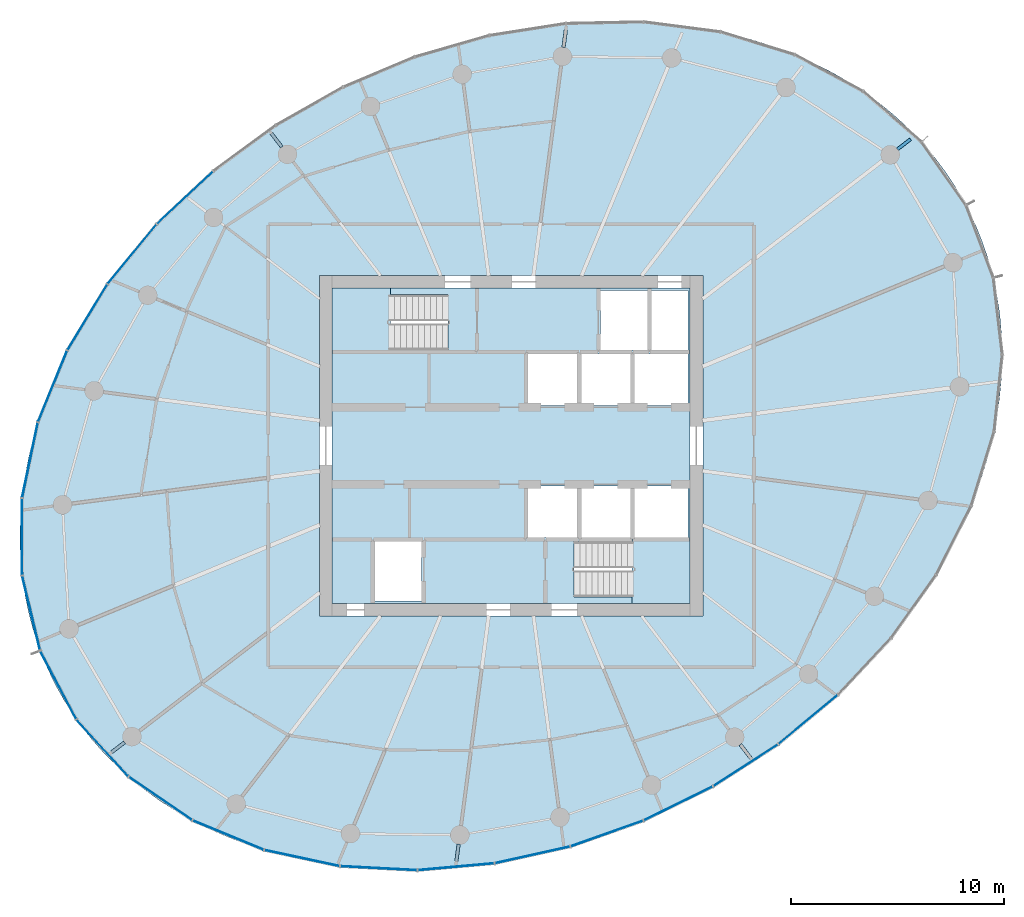
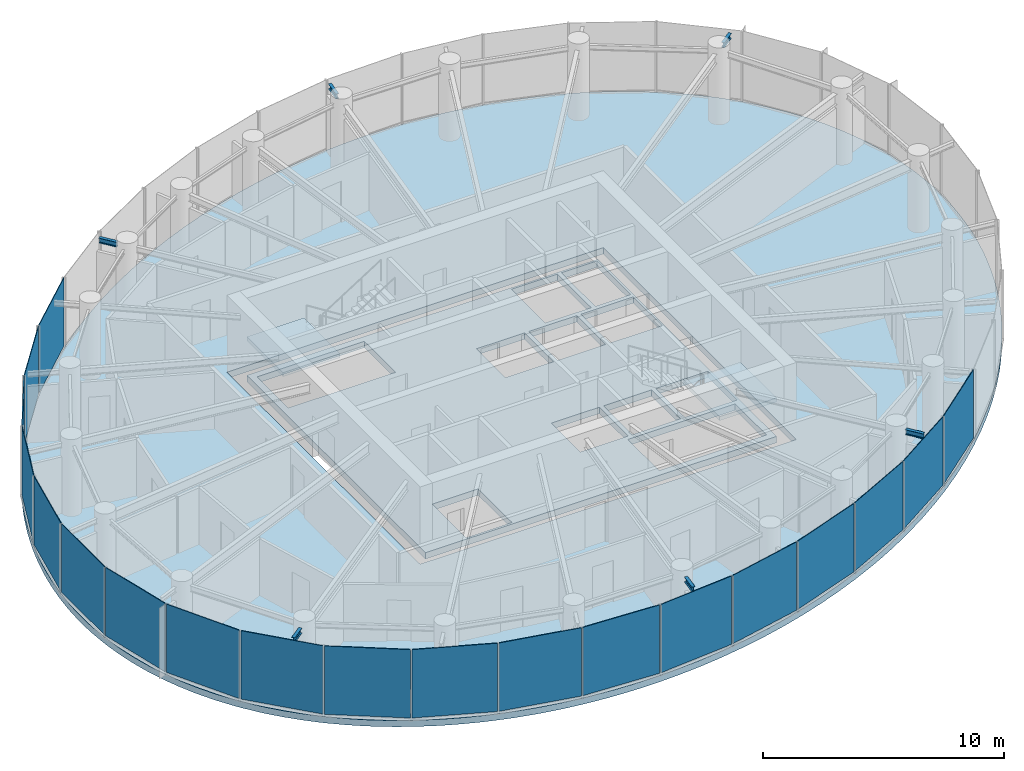
# One storey, part 7 of 13: 19 plates, 6 beams, 4 slabs, 6 elements without a shape of their own.
"""IFC4 building model written with IfcOpenShell, lengths in metres."""

from ifc_helpers import new_model, si_unit, direction, frame, origin, origin_2d, place, context, subcontext, project, spatial, line, indexed_curve, rectangle, i_section, outline, extrude, source, transform, mapped, material, layer, layer_set, material_profile, profile_set, type_object, element, aggregate, save


model = new_model("IFC4")

# Units and contexts
model_context = context("Model", 3, precision=1e-05, world=origin(), true_north=direction((0.0, 1.0)))
body_context = subcontext(model_context, "Body", "Model", "MODEL_VIEW")
ifc_project = project(units=[si_unit("LENGTHUNIT", "METRE"), si_unit("AREAUNIT", "SQUARE_METRE"), si_unit("VOLUMEUNIT", "CUBIC_METRE"), si_unit("PLANEANGLEUNIT", "RADIAN"), si_unit("MASSUNIT", "GRAM", prefix="KILO")], contexts=[model_context])

# Site, building, storey
site_placement = place(None, origin())
site = spatial("IfcSite", under=ifc_project, at=site_placement, CompositionType="ELEMENT")
building_placement = place(site_placement, origin())
building = spatial("IfcBuilding", under=site, at=building_placement, Name="Spindrift Exchange Tower", CompositionType="ELEMENT")
storey_placement = place(building_placement, frame((0.0, 0.0, 222.800048828125)))
storey = spatial("IfcBuildingStorey", under=building, at=storey_placement, Name="L54", CompositionType="ELEMENT", Elevation=222.800048828125)

# Beams
ifc_material_1 = material(Name="Steel Grade 300", Category="steel")
ifc_material_profile = material_profile(ifc_material_1, i_section(OverallWidth=0.14599609375, OverallDepth=0.251953125, WebThickness=0.006103515625, FlangeThickness=0.008544921875, FilletRadius=0.011962890625, at=origin_2d()), Name="250UB31.4")
ifc_profile_set = profile_set([ifc_material_profile], Name="Steel Grade 300")
beam_type = type_object("IfcBeamType", Name="Cantilever Beam 250UB31.4 Steel Grade 300", PredefinedType="BEAM", material=ifc_profile_set)
shared_shape_1 = source(origin(), body_context, "Body", "SweptSolid", [
    extrude(i_section(OverallWidth=0.14599609375, OverallDepth=0.251953125, WebThickness=0.006103515625, FlangeThickness=0.008544921875, FilletRadius=0.011962890625, at=origin_2d()), origin(), (0.0, 0.0, 1.0), 0.77197265625),
])
for number, where, z_axis, x_axis, name in (
    (1, (70.143310546875, 61.921875, 3.453857421875), (0.793387458853, 0.608716962253, 0.0), (-0.608716962253, 0.793387458853, 0.0), "L54 cantilever beam R03T"),
    (2, (33.856689453125, 34.078125, 3.453857421875), (-0.793387458853, -0.608716962253, 0.0), (0.608716962253, -0.793387458853, 0.0), "L54 cantilever beam R15T"),
):
    element("IfcBeam", number, at=place(storey_placement, frame(where, z_axis=z_axis, x_axis=x_axis)), inside=storey, type_object=beam_type, Name=name, PredefinedType="BEAM", context=body_context, shape_type="MappedRepresentation", body=[
        mapped(shared_shape_1, transform((0.0, 0.0, 0.0), scale=1.0)),
    ])
shared_shape_2 = source(origin(), body_context, "Body", "SweptSolid", [
    extrude(i_section(OverallWidth=0.14599609375, OverallDepth=0.251953125, WebThickness=0.006103515625, FlangeThickness=0.008544921875, FilletRadius=0.011962890625, at=origin_2d()), origin(), (0.0, 0.0, 1.0), 0.815673828125),
])
for number, where, z_axis, x_axis, name in (
    (3, (54.46240234375, 66.70458984375, 3.453857421875), (0.130810693925, 0.991407364485, 0.0), (-0.991407364485, 0.130810693925, 0.0), "L54 cantilever beam R06T"),
    (4, (49.53759765625, 29.29541015625, 3.453857421875), (-0.130810693925, -0.991407364485, 0.0), (0.991407364485, -0.130810693925, 0.0), "L54 cantilever beam R18T"),
):
    element("IfcBeam", number, at=place(storey_placement, frame(where, z_axis=z_axis, x_axis=x_axis)), inside=storey, type_object=beam_type, Name=name, PredefinedType="BEAM", context=body_context, shape_type="MappedRepresentation", body=[
        mapped(shared_shape_2, transform((0.0, 0.0, 0.0), scale=1.0)),
    ])
shared_shape_3 = source(origin(), body_context, "Body", "SweptSolid", [
    extrude(i_section(OverallWidth=0.14599609375, OverallDepth=0.251953125, WebThickness=0.006103515625, FlangeThickness=0.008544921875, FilletRadius=0.011962890625, at=origin_2d()), origin(), (0.0, 0.0, 1.0), 0.812744140625),
])
for number, where, z_axis, x_axis, name in (
    (5, (41.239013671875, 62.024169921875, 3.453857421875), (-0.608853954028, 0.793282334774, 0.0), (-0.793282334774, -0.608853954028, 0.0), "L54 cantilever beam R09T"),
    (6, (62.760986328125, 33.975830078125, 3.453857421875), (0.608853954028, -0.793282334774, 0.0), (0.793282334774, 0.608853954028, 0.0), "L54 cantilever beam R21T"),
):
    element("IfcBeam", number, at=place(storey_placement, frame(where, z_axis=z_axis, x_axis=x_axis)), inside=storey, type_object=beam_type, Name=name, PredefinedType="BEAM", context=body_context, shape_type="MappedRepresentation", body=[
        mapped(shared_shape_3, transform((0.0, 0.0, 0.0), scale=1.0)),
    ])

# Slabs
ifc_material_2 = material(Name="Concrete 40 MPa", Category="concrete")
ifc_layer_1 = layer(ifc_material_2, 0.320068359375)
ifc_layer_set_1 = layer_set([ifc_layer_1], Name="RC Floor Slab 320 Concrete 40 MPa")
slab_type_1 = type_object("IfcSlabType", Name="RC Floor Slab 320 Concrete 40 MPa", PredefinedType="FLOOR", material=ifc_layer_set_1)
slab_1_placement = place(storey_placement, frame((0.0, 0.0, -0.320068359375)))
element("IfcSlab", 7, at=slab_1_placement, inside=storey, type_object=slab_type_1, Name="Floor slab L54", PredefinedType="FLOOR", context=body_context, shape_type="SweptSolid", body=[
    extrude(outline(indexed_curve([(73.359619140625, 59.291748046875), (72.9921875, 59.944580078125), (72.591064453125, 60.577392578125), (72.37841796875, 60.8857421875), (71.929443359375, 61.4853515625), (71.693603515625, 61.7763671875), (71.19970703125, 62.33984375), (70.678466796875, 62.877685546875), (70.131103515625, 63.389404296875), (69.84814453125, 63.634765625), (69.26513671875, 64.10546875), (68.660888671875, 64.548095703125), (68.35107421875, 64.7587890625), (67.718017578125, 65.1591796875), (67.394775390625, 65.348876953125), (66.73681640625, 65.706787109375), (66.064208984375, 66.03662109375), (65.722900390625, 66.19091796875), (65.03125, 66.47900390625), (64.328857421875, 66.739501953125), (63.973876953125, 66.85986328125), (63.2578125, 67.079833984375), (62.896728515625, 67.179931640625), (62.169921875, 67.36083984375), (61.803955078125, 67.44140625), (61.068359375, 67.583984375), (60.698974609375, 67.645751953125), (59.957275390625, 67.751220703125), (59.585205078125, 67.794677734375), (58.839111328125, 67.864013671875), (58.465576171875, 67.889892578125), (57.717041015625, 67.92431640625), (57.342529296875, 67.93310546875), (56.593505859375, 67.93408203125), (56.21875, 67.92626953125), (55.47021484375, 67.89453125), (54.722900390625, 67.841796875), (54.349853515625, 67.8076171875), (53.60546875, 67.7236328125), (53.234130859375, 67.67431640625), (52.12451171875, 67.496337890625), (51.022705078125, 67.275146484375), (49.930419921875, 67.01171875), (48.848388671875, 66.707275390625), (47.77880859375, 66.36279296875), (46.722412109375, 65.979248046875), (45.680908203125, 65.5576171875), (44.655029296875, 65.098876953125), (43.98046875, 64.772705078125), (43.31396484375, 64.430419921875), (42.656005859375, 64.072265625), (42.006591796875, 63.69873046875), (41.0498046875, 63.109375), (40.11474609375, 62.486083984375), (39.202880859375, 61.8291015625), (38.31591796875, 61.13916015625), (37.455078125, 60.41650390625), (36.622314453125, 59.662109375), (35.81884765625, 58.87646484375), (35.047119140625, 58.0595703125), (34.55078125, 57.498291015625), (34.30859375, 57.21240234375), (33.8359375, 56.63134765625), (33.605712890625, 56.335693359375), (33.157958984375, 55.735107421875), (32.940673828125, 55.429931640625), (32.727783203125, 55.12158203125), (32.315673828125, 54.495849609375), (31.9228515625, 53.85791015625), (31.73388671875, 53.53466796875), (31.37109375, 52.879150390625), (31.197509765625, 52.547119140625), (31.029296875, 52.21240234375), (30.709716796875, 51.53466796875), (30.413330078125, 50.8466796875), (30.27392578125, 50.4990234375), (30.013916015625, 49.79638671875), (29.893310546875, 49.441650390625), (29.672119140625, 48.72607421875), (29.571533203125, 48.364990234375), (29.39111328125, 47.637939453125), (29.311767578125, 47.271728515625), (29.17529296875, 46.53515625), (29.06884765625, 45.793701171875), (28.994140625, 45.048095703125), (28.968994140625, 44.67431640625), (28.943115234375, 43.92578125), (28.951416015625, 43.176513671875), (28.968505859375, 42.802490234375), (29.029052734375, 42.0556640625), (29.072509765625, 41.68359375), (29.18701171875, 40.943359375), (29.337890625, 40.20947265625), (29.525390625, 39.484130859375), (29.633056640625, 39.12548828125), (29.875732421875, 38.41650390625), (30.15478515625, 37.721435546875), (30.4697265625, 37.041748046875), (30.640380859375, 36.708251953125), (31.0078125, 36.055419921875), (31.408935546875, 35.422607421875), (31.62158203125, 35.1142578125), (32.070556640625, 34.5146484375), (32.306396484375, 34.2236328125), (32.80029296875, 33.66015625), (33.321533203125, 33.122314453125), (33.868896484375, 32.610595703125), (34.15185546875, 32.365234375), (34.73486328125, 31.89453125), (35.339111328125, 31.451904296875), (35.64892578125, 31.2412109375), (36.281982421875, 30.8408203125), (36.605224609375, 30.651123046875), (37.26318359375, 30.293212890625), (37.935791015625, 29.96337890625), (38.277099609375, 29.80908203125), (38.96875, 29.52099609375), (39.671142578125, 29.260498046875), (40.026123046875, 29.14013671875), (40.7421875, 28.920166015625), (41.103271484375, 28.820068359375), (41.830078125, 28.63916015625), (42.196044921875, 28.55859375), (42.931640625, 28.416015625), (43.301025390625, 28.354248046875), (44.042724609375, 28.248779296875), (44.414794921875, 28.205322265625), (45.160888671875, 28.135986328125), (45.534423828125, 28.110107421875), (46.282958984375, 28.07568359375), (46.657470703125, 28.06689453125), (47.406494140625, 28.06591796875), (47.78125, 28.07373046875), (48.52978515625, 28.10546875), (49.277099609375, 28.158203125), (49.650146484375, 28.1923828125), (50.39453125, 28.2763671875), (50.765869140625, 28.32568359375), (51.87548828125, 28.503662109375), (52.977294921875, 28.724853515625), (54.069580078125, 28.98828125), (55.151611328125, 29.292724609375), (56.22119140625, 29.63720703125), (57.277587890625, 30.020751953125), (58.319091796875, 30.4423828125), (59.344970703125, 30.901123046875), (60.01953125, 31.227294921875), (60.68603515625, 31.569580078125), (61.343994140625, 31.927734375), (61.993408203125, 32.30126953125), (62.9501953125, 32.890625), (63.88525390625, 33.513916015625), (64.797119140625, 34.1708984375), (65.68408203125, 34.86083984375), (66.544921875, 35.58349609375), (67.377685546875, 36.337890625), (68.18115234375, 37.12353515625), (68.952880859375, 37.9404296875), (69.44921875, 38.501708984375), (69.69140625, 38.78759765625), (70.1640625, 39.36865234375), (70.394287109375, 39.664306640625), (70.842041015625, 40.264892578125), (71.059326171875, 40.570068359375), (71.272216796875, 40.87841796875), (71.684326171875, 41.504150390625), (72.0771484375, 42.14208984375), (72.26611328125, 42.46533203125), (72.62890625, 43.120849609375), (72.802490234375, 43.452880859375), (72.970703125, 43.78759765625), (73.290283203125, 44.46533203125), (73.586669921875, 45.1533203125), (73.72607421875, 45.5009765625), (73.986083984375, 46.20361328125), (74.106689453125, 46.558349609375), (74.327880859375, 47.27392578125), (74.428466796875, 47.635009765625), (74.60888671875, 48.362060546875), (74.688232421875, 48.728271484375), (74.82470703125, 49.46484375), (74.93115234375, 50.206298828125), (75.005859375, 50.951904296875), (75.031005859375, 51.32568359375), (75.056884765625, 52.07421875), (75.048583984375, 52.823486328125), (75.031494140625, 53.197509765625), (74.970947265625, 53.9443359375), (74.927490234375, 54.31640625), (74.81298828125, 55.056640625), (74.662109375, 55.79052734375), (74.474609375, 56.515869140625), (74.366943359375, 56.87451171875), (74.124267578125, 57.58349609375), (73.84521484375, 58.278564453125), (73.5302734375, 58.958251953125)], segments=[line(1, 2, 3, 4, 5, 6, 7, 8, 9, 10, 11, 12, 13, 14, 15, 16, 17, 18, 19, 20, 21, 22, 23, 24, 25, 26, 27, 28, 29, 30, 31, 32, 33, 34, 35, 36, 37, 38, 39, 40, 41, 42, 43, 44, 45, 46, 47, 48, 49, 50, 51, 52, 53, 54, 55, 56, 57, 58, 59, 60, 61, 62, 63, 64, 65, 66, 67, 68, 69, 70, 71, 72, 73, 74, 75, 76, 77, 78, 79, 80, 81, 82, 83, 84, 85, 86, 87, 88, 89, 90, 91, 92, 93, 94, 95, 96, 97, 98, 99, 100, 101, 102, 103, 104, 105, 106, 107, 108, 109, 110, 111, 112, 113, 114, 115, 116, 117, 118, 119, 120, 121, 122, 123, 124, 125, 126, 127, 128, 129, 130, 131, 132, 133, 134, 135, 136, 137, 138, 139, 140, 141, 142, 143, 144, 145, 146, 147, 148, 149, 150, 151, 152, 153, 154, 155, 156, 157, 158, 159, 160, 161, 162, 163, 164, 165, 166, 167, 168, 169, 170, 171, 172, 173, 174, 175, 176, 177, 178, 179, 180, 181, 182, 183, 184, 185, 186, 187, 188, 189, 190, 191, 192, 193, 194, 195, 196, 1)], self_intersect=False), holes=[indexed_curve([(43.0, 40.0), (61.0, 40.0), (61.0, 56.0), (43.0, 56.0)], segments=[line(1, 2, 3, 4, 1)], self_intersect=False)]), origin(), (0.0, 0.0, 1.0), 0.320068359375),
])
ifc_material_3 = material(Name="Concrete 50 MPa", Category="concrete")
ifc_layer_2 = layer(ifc_material_3, 0.320068359375)
ifc_layer_set_2 = layer_set([ifc_layer_2], Name="SL-CORE-FLOOR-320")
slab_type_2 = type_object("IfcSlabType", Name="SL-CORE-FLOOR-320", PredefinedType="FLOOR", material=ifc_layer_set_2)
slab_2_placement = place(storey_placement, frame((0.0, 0.0, -0.320068359375)))
element("IfcSlab", 8, at=slab_2_placement, inside=storey, type_object=slab_type_2, Name="L54 Core floor slab", PredefinedType="FLOOR", context=body_context, shape_type="SweptSolid", body=[
    extrude(outline(indexed_curve([(43.60009765625, 40.60009765625), (43.60009765625, 55.39990234375), (60.39990234375, 55.39990234375), (60.39990234375, 40.60009765625)], segments=[line(1, 2, 3, 4, 1)], self_intersect=False), holes=[indexed_curve([(45.60009765625, 43.5), (45.60009765625, 40.699951171875), (47.800048828125, 40.699951171875), (47.800048828125, 43.5)], segments=[line(1, 2, 3, 4, 1)], self_intersect=False), indexed_curve([(52.800048828125, 46.10009765625), (52.800048828125, 43.699951171875), (55.10009765625, 43.699951171875), (55.10009765625, 46.10009765625)], segments=[line(1, 2, 3, 4, 1)], self_intersect=False), indexed_curve([(55.300048828125, 46.10009765625), (55.300048828125, 43.699951171875), (57.60009765625, 43.699951171875), (57.60009765625, 46.10009765625)], segments=[line(1, 2, 3, 4, 1)], self_intersect=False), indexed_curve([(55.10009765625, 52.300048828125), (52.800048828125, 52.300048828125), (52.800048828125, 49.89990234375), (55.10009765625, 49.89990234375)], segments=[line(1, 2, 3, 4, 1)], self_intersect=False), indexed_curve([(57.60009765625, 52.300048828125), (55.300048828125, 52.300048828125), (55.300048828125, 49.89990234375), (57.60009765625, 49.89990234375)], segments=[line(1, 2, 3, 4, 1)], self_intersect=False), indexed_curve([(43.906005859375, 52.506103515625), (49.0439453125, 52.506103515625), (49.0439453125, 55.093994140625), (43.906005859375, 55.093994140625)], segments=[line(1, 2, 3, 4, 1)], self_intersect=False), indexed_curve([(60.093994140625, 40.906005859375), (60.093994140625, 43.493896484375), (54.9560546875, 43.493896484375), (54.9560546875, 40.906005859375)], segments=[line(1, 2, 3, 4, 1)], self_intersect=False), indexed_curve([(60.300048828125, 46.10009765625), (57.800048828125, 46.10009765625), (57.800048828125, 43.699951171875), (60.300048828125, 43.699951171875)], segments=[line(1, 2, 3, 4, 1)], self_intersect=False), indexed_curve([(57.800048828125, 52.300048828125), (57.800048828125, 49.89990234375), (60.300048828125, 49.89990234375), (60.300048828125, 52.300048828125)], segments=[line(1, 2, 3, 4, 1)], self_intersect=False), indexed_curve([(58.39990234375, 55.300048828125), (56.199951171875, 55.300048828125), (56.199951171875, 52.5), (58.39990234375, 52.5)], segments=[line(1, 2, 3, 4, 1)], self_intersect=False), indexed_curve([(60.300048828125, 55.300048828125), (58.60009765625, 55.300048828125), (58.60009765625, 52.5), (60.300048828125, 52.5)], segments=[line(1, 2, 3, 4, 1)], self_intersect=False)]), origin(), (0.0, 0.0, 1.0), 0.320068359375),
])

# Stair, slab
stair_type = type_object("IfcStairType", Name="ST-1250-R177", PredefinedType="HALF_TURN_STAIR", material=ifc_material_3)
stair_1_placement = place(storey_placement, origin())
stair_1 = element("IfcStair", 9, at=stair_1_placement, inside=storey, type_object=stair_type, Name="L54 Exit stair ST1", PredefinedType="HALF_TURN_STAIR")
ifc_layer_3 = layer(ifc_material_3, 0.199951171875)
ifc_layer_set_3 = layer_set([ifc_layer_3], Name="SL-LANDING")
slab_type_3 = type_object("IfcSlabType", Name="SL-LANDING", PredefinedType="LANDING", material=ifc_layer_set_3)
slab_3_placement = place(storey_placement, frame((0.0, 0.0, 1.75)))
slab_3 = element("IfcSlab", 10, at=slab_3_placement, type_object=slab_type_3, Name="ST1 landing 1", PredefinedType="LANDING", context=body_context, shape_type="SweptSolid", body=[
    extrude(outline(indexed_curve([(46.330078125, 52.39990234375), (43.60009765625, 52.39990234375), (43.60009765625, 55.39990234375), (46.330078125, 55.39990234375)], segments=[line(1, 2, 3, 4, 1)], self_intersect=False)), origin(), (0.0, 0.0, 1.0), 0.199951171875),
])
aggregate(stair_1, [slab_3])

stair_2_placement = place(storey_placement, origin())
stair_2 = element("IfcStair", 11, at=stair_2_placement, inside=storey, type_object=stair_type, Name="L54 Exit stair ST2", PredefinedType="HALF_TURN_STAIR")
slab_4_placement = place(storey_placement, frame((0.0, 0.0, 1.75)))
slab_4 = element("IfcSlab", 12, at=slab_4_placement, type_object=slab_type_3, Name="ST2 landing 1", PredefinedType="LANDING", context=body_context, shape_type="SweptSolid", body=[
    extrude(outline(indexed_curve([(57.669921875, 43.60009765625), (60.39990234375, 43.60009765625), (60.39990234375, 40.60009765625), (57.669921875, 40.60009765625)], segments=[line(1, 2, 3, 4, 1)], self_intersect=False)), origin(), (0.0, 0.0, 1.0), 0.199951171875),
])
aggregate(stair_2, [slab_4])

# Curtain wall, plate
ifc_material_4 = material(Name="Fritted laminated glass with bronze frame", Category="glass")
ifc_layer_4 = layer(ifc_material_4, 0.169921875)
ifc_layer_set_4 = layer_set([ifc_layer_4], Name="ZONE 4 BRONZE FRITTED WALL")
curtain_wall_type = type_object("IfcCurtainWallType", Name="ZONE 4 BRONZE FRITTED WALL", PredefinedType="NOTDEFINED", material=ifc_layer_set_4)
curtain_wall_1_placement = place(storey_placement, origin())
curtain_wall_1 = element("IfcCurtainWall", 13, at=curtain_wall_1_placement, inside=storey, type_object=curtain_wall_type, Name="L54 Zone 4 Bronze Fritted Wall run 5", PredefinedType="NOTDEFINED")
ifc_material_5 = material(Name="Bronze fritted laminated glass, open frit", Category="glass")
ifc_layer_5 = layer(ifc_material_5, 0.030029296875)
ifc_layer_set_5 = layer_set([ifc_layer_5], Name="ZONE 4 BRONZE FRITTED WALL PANEL OPEN FRIT 480")
plate_type_1 = type_object("IfcPlateType", Name="ZONE 4 BRONZE FRITTED WALL PANEL OPEN FRIT 480", PredefinedType="CURTAIN_PANEL", material=ifc_layer_set_5)
shared_shape_4 = source(origin(), body_context, "Body", "SweptSolid", [
    extrude(rectangle(XDim=3.577880859375, YDim=0.030029296875, at=origin_2d()), origin(), (0.0, 0.0, 1.0), 3.455078125),
])
plate_1_placement = place(storey_placement, frame((59.850830078125, 31.202880859375, 0.125), z_axis=(0.0, 0.0, 1.0), x_axis=(0.897274551106, 0.441472966258, 0.0)))
plate_1 = element("IfcPlate", 14, at=plate_1_placement, type_object=plate_type_1, Name="L54 panel CW-4.28", PredefinedType="CURTAIN_PANEL", context=body_context, shape_type="MappedRepresentation", body=[
    mapped(shared_shape_4, transform((0.0, 0.0, 0.0), scale=1.0)),
])

curtain_wall_2_placement = place(storey_placement, origin())
curtain_wall_2 = element("IfcCurtainWall", 15, at=curtain_wall_2_placement, inside=storey, type_object=curtain_wall_type, Name="L54 Zone 4 Bronze Fritted Wall run 3", PredefinedType="NOTDEFINED")
ifc_layer_6 = layer(ifc_material_5, 0.030029296875)
ifc_layer_set_6 = layer_set([ifc_layer_6], Name="ZONE 4 BRONZE FRITTED WALL PANEL OPEN FRIT 360")
plate_type_2 = type_object("IfcPlateType", Name="ZONE 4 BRONZE FRITTED WALL PANEL OPEN FRIT 360", PredefinedType="CURTAIN_PANEL", material=ifc_layer_set_6)
shared_shape_5 = source(origin(), body_context, "Body", "SweptSolid", [
    extrude(rectangle(XDim=3.5771484375, YDim=0.030029296875, at=origin_2d()), origin(), (0.0, 0.0, 1.0), 3.455078125),
])
plate_2_placement = place(storey_placement, frame((34.207275390625, 56.994384765625, 0.125), z_axis=(0.0, 0.0, 1.0), x_axis=(-0.634598333816, -0.772842127939, 0.0)))
plate_2 = element("IfcPlate", 16, at=plate_2_placement, type_object=plate_type_2, Name="L54 panel CW-4.13", PredefinedType="CURTAIN_PANEL", context=body_context, shape_type="MappedRepresentation", body=[
    mapped(shared_shape_5, transform((0.0, 0.0, 0.0), scale=1.0)),
])

# Plate
plate_3_placement = place(storey_placement, frame((49.412841796875, 28.231689453125, 0.125), z_axis=(0.0, 0.0, 1.0), x_axis=(0.996015580038, 0.089179394037, 0.0)))
plate_3 = element("IfcPlate", 17, at=plate_3_placement, type_object=plate_type_2, Name="L54 panel CW-4.25", PredefinedType="CURTAIN_PANEL", context=body_context, shape_type="MappedRepresentation", body=[
    mapped(shared_shape_5, transform((0.0, 0.0, 0.0), scale=1.0)),
])

# Curtain wall, plate
curtain_wall_3_placement = place(storey_placement, origin())
curtain_wall_3 = element("IfcCurtainWall", 18, at=curtain_wall_3_placement, inside=storey, type_object=curtain_wall_type, Name="L54 Zone 4 Bronze Fritted Wall run 4", PredefinedType="NOTDEFINED")
ifc_layer_7 = layer(ifc_material_5, 0.030029296875)
ifc_layer_set_7 = layer_set([ifc_layer_7], Name="ZONE 4 BRONZE FRITTED WALL PANEL OPEN FRIT 600")
plate_type_3 = type_object("IfcPlateType", Name="ZONE 4 BRONZE FRITTED WALL PANEL OPEN FRIT 600", PredefinedType="CURTAIN_PANEL", material=ifc_layer_set_7)
shared_shape_6 = source(origin(), body_context, "Body", "SweptSolid", [
    extrude(rectangle(XDim=3.57421875, YDim=0.030029296875, at=origin_2d()), origin(), (0.0, 0.0, 1.0), 3.455078125),
])
plate_4_placement = place(storey_placement, frame((38.720703125, 29.7158203125, 0.125), z_axis=(0.0, 0.0, 1.0), x_axis=(0.924173139837, -0.381973831045, 0.0)))
plate_4 = element("IfcPlate", 19, at=plate_4_placement, type_object=plate_type_3, Name="L54 panel CW-4.22", PredefinedType="CURTAIN_PANEL", context=body_context, shape_type="MappedRepresentation", body=[
    mapped(shared_shape_6, transform((0.0, 0.0, 0.0), scale=1.0)),
])

# Plate
shared_shape_7 = source(origin(), body_context, "Body", "SweptSolid", [
    extrude(rectangle(XDim=3.572509765625, YDim=0.030029296875, at=origin_2d()), origin(), (0.0, 0.0, 1.0), 3.455078125),
])
plate_5_placement = place(storey_placement, frame((29.04296875, 43.723388671875, 0.125), z_axis=(0.0, 0.0, 1.0), x_axis=(0.001511454557, -0.999998857752, 0.0)))
plate_5 = element("IfcPlate", 20, at=plate_5_placement, type_object=plate_type_3, Name="L54 panel CW-4.17", PredefinedType="CURTAIN_PANEL", context=body_context, shape_type="MappedRepresentation", body=[
    mapped(shared_shape_7, transform((0.0, 0.0, 0.0), scale=1.0)),
])

shared_shape_8 = source(origin(), body_context, "Body", "SweptSolid", [
    extrude(rectangle(XDim=3.57080078125, YDim=0.030029296875, at=origin_2d()), origin(), (0.0, 0.0, 1.0), 3.455078125),
])
plate_6_placement = place(storey_placement, frame((32.814453125, 33.809814453125, 0.125), z_axis=(0.0, 0.0, 1.0), x_axis=(0.672236312629, -0.740336639633, 0.0)))
plate_6 = element("IfcPlate", 21, at=plate_6_placement, type_object=plate_type_1, Name="L54 panel CW-4.20", PredefinedType="CURTAIN_PANEL", context=body_context, shape_type="MappedRepresentation", body=[
    mapped(shared_shape_8, transform((0.0, 0.0, 0.0), scale=1.0)),
])

shared_shape_9 = source(origin(), body_context, "Body", "SweptSolid", [
    extrude(rectangle(XDim=3.577880859375, YDim=0.030029296875, at=origin_2d()), origin(), (0.0, 0.0, 1.0), 3.455078125),
])
plate_7_placement = place(storey_placement, frame((56.49951171875, 29.79150390625, 0.125), z_axis=(0.0, 0.0, 1.0), x_axis=(0.942746313091, 0.333510703208, 0.0)))
plate_7 = element("IfcPlate", 22, at=plate_7_placement, type_object=plate_type_3, Name="L54 panel CW-4.27", PredefinedType="CURTAIN_PANEL", context=body_context, shape_type="MappedRepresentation", body=[
    mapped(shared_shape_9, transform((0.0, 0.0, 0.0), scale=1.0)),
])

plate_8_placement = place(storey_placement, frame((63.01513671875, 32.99560546875, 0.125), z_axis=(0.0, 0.0, 1.0), x_axis=(0.839908891127, 0.542727422013, 0.0)))
plate_8 = element("IfcPlate", 23, at=plate_8_placement, type_object=plate_type_3, Name="L54 panel CW-4.29", PredefinedType="CURTAIN_PANEL", context=body_context, shape_type="MappedRepresentation", body=[
    mapped(shared_shape_9, transform((0.0, 0.0, 0.0), scale=1.0)),
])

shared_shape_10 = source(origin(), body_context, "Body", "SweptSolid", [
    extrude(rectangle(XDim=3.57763671875, YDim=0.030029296875, at=origin_2d()), origin(), (0.0, 0.0, 1.0), 3.455078125),
])
plate_9_placement = place(storey_placement, frame((65.946533203125, 35.147216796875, 0.125), z_axis=(0.0, 0.0, 1.0), x_axis=(0.769619137015, 0.63850323722, 0.0)))
plate_9 = element("IfcPlate", 24, at=plate_9_placement, type_object=plate_type_1, Name="L54 panel CW-4.30", PredefinedType="CURTAIN_PANEL", context=body_context, shape_type="MappedRepresentation", body=[
    mapped(shared_shape_10, transform((0.0, 0.0, 0.0), scale=1.0)),
])

# Curtain wall, plate
curtain_wall_4_placement = place(storey_placement, origin())
curtain_wall_4 = element("IfcCurtainWall", 25, at=curtain_wall_4_placement, inside=storey, type_object=curtain_wall_type, Name="L54 Zone 4 Bronze Fritted Wall run 2", PredefinedType="NOTDEFINED")
shared_shape_11 = source(origin(), body_context, "Body", "SweptSolid", [
    extrude(rectangle(XDim=3.57763671875, YDim=0.030029296875, at=origin_2d()), origin(), (0.0, 0.0, 1.0), 3.455078125),
])
plate_10_placement = place(storey_placement, frame((36.690673828125, 59.648681640625, 0.125), z_axis=(0.0, 0.0, 1.0), x_axis=(-0.72895429014, -0.684562373262, 0.0)))
plate_10 = element("IfcPlate", 26, at=plate_10_placement, type_object=plate_type_3, Name="L54 panel CW-4.12", PredefinedType="CURTAIN_PANEL", context=body_context, shape_type="MappedRepresentation", body=[
    mapped(shared_shape_11, transform((0.0, 0.0, 0.0), scale=1.0)),
])
aggregate(curtain_wall_4, [plate_10])

# Plate
shared_shape_12 = source(origin(), body_context, "Body", "SweptSolid", [
    extrude(rectangle(XDim=3.577392578125, YDim=0.030029296875, at=origin_2d()), origin(), (0.0, 0.0, 1.0), 3.455078125),
])
plate_11_placement = place(storey_placement, frame((53.00439453125, 28.7890625, 0.125), z_axis=(0.0, 0.0, 1.0), x_axis=(0.976203367061, 0.216857063843, 0.0)))
plate_11 = element("IfcPlate", 27, at=plate_11_placement, type_object=plate_type_2, Name="L54 panel CW-4.26", PredefinedType="CURTAIN_PANEL", context=body_context, shape_type="MappedRepresentation", body=[
    mapped(shared_shape_12, transform((0.0, 0.0, 0.0), scale=1.0)),
])

aggregate(curtain_wall_1, [plate_3, plate_11, plate_7, plate_1, plate_8, plate_9])

shared_shape_13 = source(origin(), body_context, "Body", "SweptSolid", [
    extrude(rectangle(XDim=3.576416015625, YDim=0.030029296875, at=origin_2d()), origin(), (0.0, 0.0, 1.0), 3.455078125),
])
plate_12_placement = place(storey_placement, frame((32.106201171875, 54.031005859375, 0.125), z_axis=(0.0, 0.0, 1.0), x_axis=(-0.51929390573, -0.854595716975, 0.0)))
plate_12 = element("IfcPlate", 28, at=plate_12_placement, type_object=plate_type_3, Name="L54 panel CW-4.14", PredefinedType="CURTAIN_PANEL", context=body_context, shape_type="MappedRepresentation", body=[
    mapped(shared_shape_13, transform((0.0, 0.0, 0.0), scale=1.0)),
])

shared_shape_14 = source(origin(), body_context, "Body", "SweptSolid", [
    extrude(rectangle(XDim=3.57421875, YDim=0.030029296875, at=origin_2d()), origin(), (0.0, 0.0, 1.0), 3.455078125),
])
plate_13_placement = place(storey_placement, frame((29.41259765625, 47.3232421875, 0.125), z_axis=(0.0, 0.0, 1.0), x_axis=(-0.204801853671, -0.978803453576, 0.0)))
plate_13 = element("IfcPlate", 29, at=plate_13_placement, type_object=plate_type_2, Name="L54 panel CW-4.16", PredefinedType="CURTAIN_PANEL", context=body_context, shape_type="MappedRepresentation", body=[
    mapped(shared_shape_14, transform((0.0, 0.0, 0.0), scale=1.0)),
])

shared_shape_15 = source(origin(), body_context, "Body", "SweptSolid", [
    extrude(rectangle(XDim=3.572509765625, YDim=0.030029296875, at=origin_2d()), origin(), (0.0, 0.0, 1.0), 3.455078125),
])
plate_14_placement = place(storey_placement, frame((35.537841796875, 31.4375, 0.125), z_axis=(0.0, 0.0, 1.0), x_axis=(0.825509688637, -0.564387946334, 0.0)))
plate_14 = element("IfcPlate", 30, at=plate_14_placement, type_object=plate_type_2, Name="L54 panel CW-4.21", PredefinedType="CURTAIN_PANEL", context=body_context, shape_type="MappedRepresentation", body=[
    mapped(shared_shape_15, transform((0.0, 0.0, 0.0), scale=1.0)),
])

shared_shape_16 = source(origin(), body_context, "Body", "SweptSolid", [
    extrude(rectangle(XDim=3.570068359375, YDim=0.030029296875, at=origin_2d()), origin(), (0.0, 0.0, 1.0), 3.455078125),
])
plate_15_placement = place(storey_placement, frame((30.742919921875, 36.762451171875, 0.125), z_axis=(0.0, 0.0, 1.0), x_axis=(0.467368263699, -0.884062727462, 0.0)))
plate_15 = element("IfcPlate", 31, at=plate_15_placement, type_object=plate_type_2, Name="L54 panel CW-4.19", PredefinedType="CURTAIN_PANEL", context=body_context, shape_type="MappedRepresentation", body=[
    mapped(shared_shape_16, transform((0.0, 0.0, 0.0), scale=1.0)),
])

shared_shape_17 = source(origin(), body_context, "Body", "SweptSolid", [
    extrude(rectangle(XDim=3.57080078125, YDim=0.030029296875, at=origin_2d()), origin(), (0.0, 0.0, 1.0), 3.455078125),
])
plate_16_placement = place(storey_placement, frame((29.469482421875, 40.136962890625, 0.125), z_axis=(0.0, 0.0, 1.0), x_axis=(0.233211156505, -0.972426118778, 0.0)))
plate_16 = element("IfcPlate", 32, at=plate_16_placement, type_object=plate_type_2, Name="L54 panel CW-4.18", PredefinedType="CURTAIN_PANEL", context=body_context, shape_type="MappedRepresentation", body=[
    mapped(shared_shape_17, transform((0.0, 0.0, 0.0), scale=1.0)),
])

shared_shape_18 = source(origin(), body_context, "Body", "SweptSolid", [
    extrude(rectangle(XDim=3.575439453125, YDim=0.030029296875, at=origin_2d()), origin(), (0.0, 0.0, 1.0), 3.455078125),
])
plate_17_placement = place(storey_placement, frame((42.1826171875, 28.639892578125, 0.125), z_axis=(0.0, 0.0, 1.0), x_axis=(0.977860730747, -0.209256759182, 0.0)))
plate_17 = element("IfcPlate", 33, at=plate_17_placement, type_object=plate_type_1, Name="L54 panel CW-4.23", PredefinedType="CURTAIN_PANEL", context=body_context, shape_type="MappedRepresentation", body=[
    mapped(shared_shape_18, transform((0.0, 0.0, 0.0), scale=1.0)),
])

shared_shape_19 = source(origin(), body_context, "Body", "SweptSolid", [
    extrude(rectangle(XDim=3.576416015625, YDim=0.030029296875, at=origin_2d()), origin(), (0.0, 0.0, 1.0), 3.455078125),
])
plate_18_placement = place(storey_placement, frame((45.78076171875, 28.164306640625, 0.125), z_axis=(0.0, 0.0, 1.0), x_axis=(0.998640837959, -0.052119830789, 0.0)))
plate_18 = element("IfcPlate", 34, at=plate_18_placement, type_object=plate_type_2, Name="L54 panel CW-4.24", PredefinedType="CURTAIN_PANEL", context=body_context, shape_type="MappedRepresentation", body=[
    mapped(shared_shape_19, transform((0.0, 0.0, 0.0), scale=1.0)),
])

aggregate(curtain_wall_3, [plate_15, plate_6, plate_14, plate_4, plate_17, plate_18])

shared_shape_20 = source(origin(), body_context, "Body", "SweptSolid", [
    extrude(rectangle(XDim=3.575439453125, YDim=0.030029296875, at=origin_2d()), origin(), (0.0, 0.0, 1.0), 3.455078125),
])
plate_19_placement = place(storey_placement, frame((30.472900390625, 50.78955078125, 0.125), z_axis=(0.0, 0.0, 1.0), x_axis=(-0.37774705984, -0.925908828548, 0.0)))
plate_19 = element("IfcPlate", 35, at=plate_19_placement, type_object=plate_type_3, Name="L54 panel CW-4.15", PredefinedType="CURTAIN_PANEL", context=body_context, shape_type="MappedRepresentation", body=[
    mapped(shared_shape_20, transform((0.0, 0.0, 0.0), scale=1.0)),
])

aggregate(curtain_wall_2, [plate_2, plate_12, plate_19, plate_13, plate_5, plate_16])

save(model, "model.ifc")
